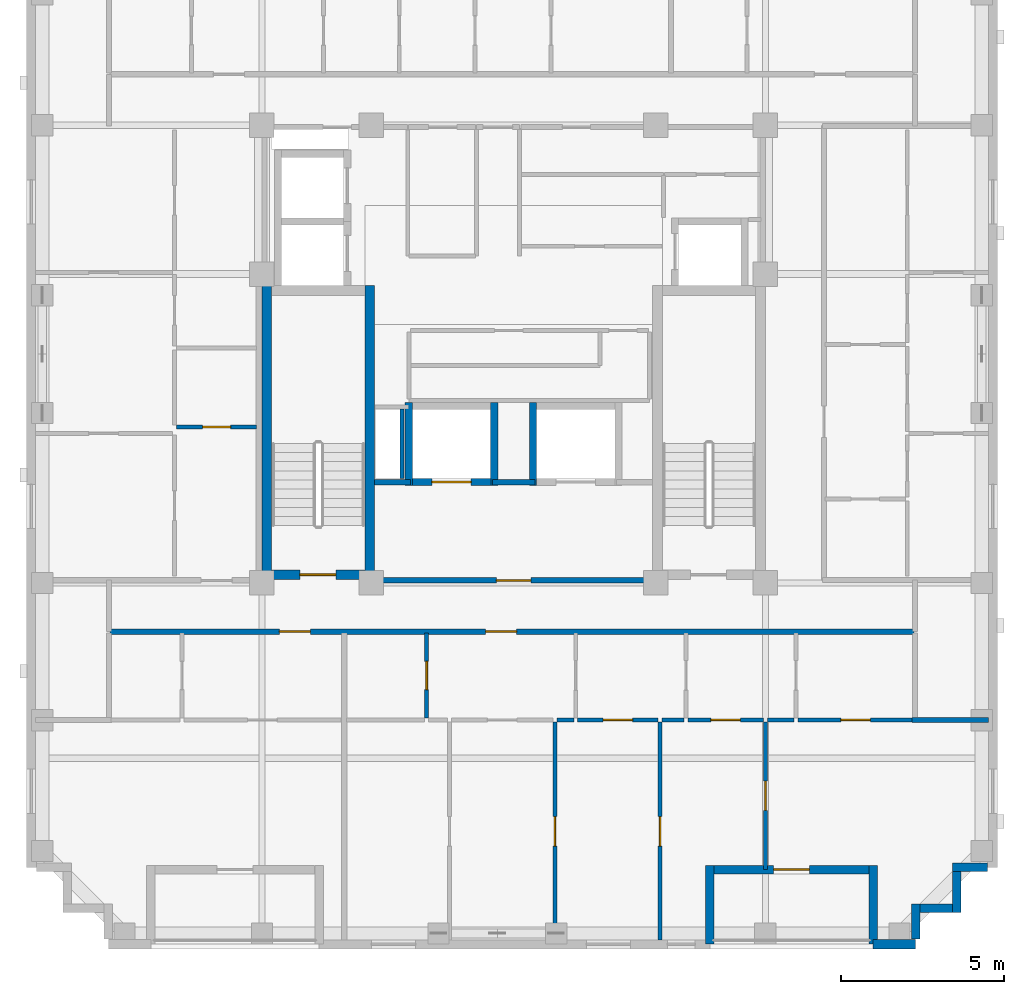
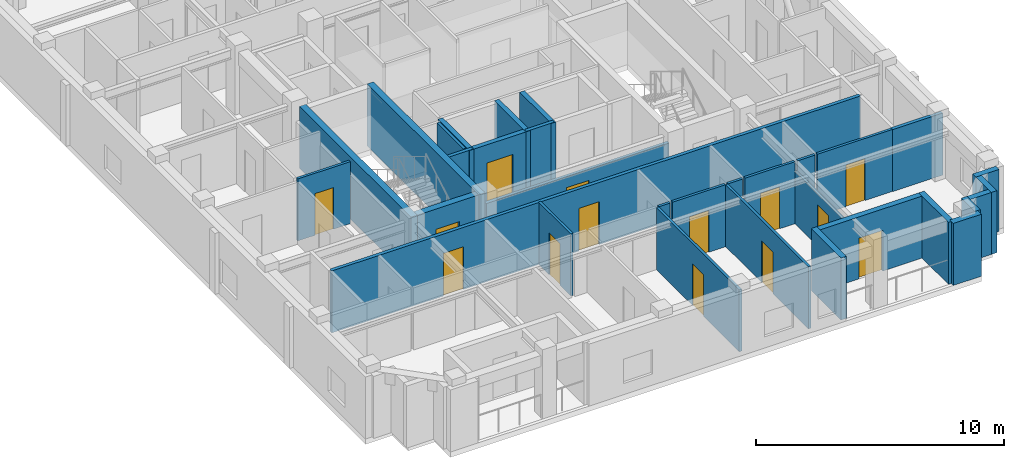
# One storey, part 3 of 11: 32 walls, 14 doors, 14 openings.
"""IFC4 building model written with IfcOpenShell, lengths in metres."""

from ifc_helpers import new_model, si_unit, derived_unit, direction, frame, frame_2d, origin, place, context, subcontext, project, spatial, rectangle, extrude, material, layer, layer_set, type_object, element, fill, save


model = new_model("IFC4")

# Units and contexts
model_context = context("Model", 3, precision=1e-05, world=origin(), true_north=direction((0.0, 1.0)))
body_context = subcontext(model_context, "Body", "Model", "MODEL_VIEW")
ifc_project = project(units=[si_unit("LENGTHUNIT", "METRE"), si_unit("AREAUNIT", "SQUARE_METRE"), si_unit("VOLUMEUNIT", "CUBIC_METRE"), si_unit("PLANEANGLEUNIT", "RADIAN"), si_unit("MASSUNIT", "GRAM", prefix="KILO"), derived_unit("THERMALTRANSMITTANCEUNIT", [(si_unit("MASSUNIT", "GRAM", prefix="KILO"), 1), (si_unit("TIMEUNIT", "SECOND"), -3), (si_unit("THERMODYNAMICTEMPERATUREUNIT", "KELVIN"), -1)])], contexts=[model_context])

# Site, building, storey
site_placement = place(None, origin())
site = spatial("IfcSite", under=ifc_project, at=site_placement, CompositionType="ELEMENT")
building_placement = place(site_placement, origin())
building = spatial("IfcBuilding", under=site, at=building_placement, Name="Korrvale Station Residences", CompositionType="ELEMENT")
storey_placement = place(building_placement, frame((0.0, 0.0, 258.10009765625)))
storey = spatial("IfcBuildingStorey", under=building, at=storey_placement, Name="L75", CompositionType="ELEMENT", Elevation=258.10009765625)

# Walls
ifc_material_1 = material(Name="Concrete C50/60", Category="concrete")
ifc_layer_1 = layer(ifc_material_1, 0.300048828125, Name="Concrete C50/60")
ifc_layer_set_1 = layer_set([ifc_layer_1], Name="Concrete C50/60")
wall_type_1 = type_object("IfcWallType", Name="WAL-CORE-300-C50", PredefinedType="SHEAR", material=ifc_layer_set_1)
for number, where, z_axis, x_axis, name in (
    (1, (17.949951171875, 15.10009765625, 0.0), (0.0, 0.0, 1.0), (0.0, 1.0, 0.0), "L75 ST-1 Core Shear Wall West"),
    (2, (21.10009765625, 15.10009765625, 0.0), (0.0, 0.0, 1.0), (0.0, 1.0, 0.0), "L75 ST-1 Core Shear Wall East"),
):
    element("IfcWall", number, at=place(storey_placement, frame(where, z_axis=z_axis, x_axis=x_axis)), inside=storey, type_object=wall_type_1, Name=name, PredefinedType="SHEAR", context=body_context, shape_type="SweptSolid", body=[
        extrude(rectangle(XDim=9.0, YDim=0.300048828125, at=frame_2d((4.5, 0.0))), origin(), (0.0, 0.0, 1.0), 3.0498046875),
    ])

# Wall, opening, door
wall_1_placement = place(storey_placement, frame((18.10009765625, 15.25, 0.0), z_axis=(0.0, 0.0, 1.0), x_axis=(1.0, 0.0, 0.0)))
wall_1 = element("IfcWall", 3, at=wall_1_placement, inside=storey, type_object=wall_type_1, Name="L75 ST-1 Core Shear Wall South", PredefinedType="SHEAR", context=body_context, shape_type="SweptSolid", body=[
    extrude(rectangle(XDim=2.849853515625, YDim=0.300048828125, at=frame_2d((1.4248046875, 0.0))), origin(), (0.0, 0.0, 1.0), 3.0498046875),
])
opening_1_placement = place(wall_1_placement, frame((0.860107421875, 0.0, 0.0)))
opening_1 = element("IfcOpeningElement", 4, at=opening_1_placement, cuts=wall_1, Name="Opening SD-1100", PredefinedType="OPENING", context=body_context, shape_type="SweptSolid", body=[
    extrude(rectangle(XDim=1.10009765625, YDim=2.050048828125, at=frame_2d((0.550048828125, 1.02490234375))), frame((0.0, 0.16015625, 0.0), z_axis=(0.0, -1.0, 0.0), x_axis=(1.0, 0.0, 0.0)), (0.0, 0.0, 1.0), 0.320068359375),
])
ifc_material_2 = material(Name="Hollow-metal fire-rated stair door with closer", Category="steel")
door_type_1 = type_object("IfcDoorType", Name="DR-STAIR-1100", OperationType="NOTDEFINED", PredefinedType="DOOR", material=ifc_material_2)
door_1_placement = place(opening_1_placement, origin())
door_1 = element("IfcDoor", 5, at=door_1_placement, inside=storey, type_object=door_type_1, Name="L75 ST-1 Exit Stair Door", OperationType="SINGLE_SWING_LEFT", OverallHeight=2.050048828125, OverallWidth=1.10009765625, PredefinedType="DOOR", context=body_context, shape_type="SweptSolid", body=[
    extrude(rectangle(XDim=1.10009765625, YDim=2.050048828125, at=frame_2d((0.550048828125, 1.02490234375))), frame((0.0, 0.02490234375, 0.0), z_axis=(0.0, -1.0, 0.0), x_axis=(1.0, 0.0, 0.0)), (0.0, 0.0, 1.0), 0.050048828125),
])
fill(opening_1, door_1)

# Wall
ifc_material_3 = material(Name="Precast concrete C45/55", Category="concrete")
ifc_layer_2 = layer(ifc_material_3, 0.260009765625, Name="Precast concrete C45/55")
ifc_layer_set_2 = layer_set([ifc_layer_2], Name="Precast concrete C45/55")
wall_type_2 = type_object("IfcWallType", Name="WAL-EXT-LOG260", PredefinedType="SOLIDWALL", material=ifc_layer_set_2)
wall_2_placement = place(storey_placement, frame((36.5, 3.9599609375, 0.0), z_axis=(0.0, 0.0, 1.0), x_axis=(0.0, 1.0, 0.0)))
element("IfcWall", 6, at=wall_2_placement, inside=storey, type_object=wall_type_2, Name="L75 Recessed Loggia Wall BAL-L75-S2-L", PredefinedType="SOLIDWALL", context=body_context, shape_type="SweptSolid", body=[
    extrude(rectangle(XDim=2.400146484375, YDim=0.260009765625, at=frame_2d((1.2001953125, 0.0))), origin(), (0.0, 0.0, 1.0), 3.0498046875),
])

# Wall, opening, door
wall_3_placement = place(storey_placement, frame((36.365966796875, 6.22998046875, 0.0), z_axis=(0.0, 0.0, 1.0), x_axis=(-1.0, 0.0, 0.0)))
wall_3 = element("IfcWall", 7, at=wall_3_placement, inside=storey, type_object=wall_type_2, Name="L75 Recessed Loggia Wall BAL-L75-S2-B", PredefinedType="SOLIDWALL", context=body_context, shape_type="SweptSolid", body=[
    extrude(rectangle(XDim=4.73193359375, YDim=0.260009765625, at=frame_2d((2.365966796875, 0.0))), origin(), (0.0, 0.0, 1.0), 3.0498046875),
])
opening_2_placement = place(wall_3_placement, frame((1.81591796875, 0.0, 0.0)))
opening_2 = element("IfcOpeningElement", 8, at=opening_2_placement, cuts=wall_3, Name="Opening BD-01", PredefinedType="OPENING", context=body_context, shape_type="SweptSolid", body=[
    extrude(rectangle(XDim=1.10009765625, YDim=2.0, at=frame_2d((0.550048828125, 1.0))), frame((0.0, 0.14013671875, 0.0), z_axis=(0.0, -1.0, 0.0), x_axis=(1.0, 0.0, 0.0)), (0.0, 0.0, 1.0), 0.280029296875),
])
ifc_material_4 = material(Name="Exterior thermally broken aluminium glazed balcony door", Category="aluminium")
door_type_2 = type_object("IfcDoorType", Name="DR-EXT-BAL", OperationType="NOTDEFINED", PredefinedType="DOOR", material=ifc_material_4)
door_2_placement = place(opening_2_placement, origin())
door_2 = element("IfcDoor", 9, at=door_2_placement, inside=storey, type_object=door_type_2, Name="L75 Loggia Balcony Door BAL-L75-S2", OperationType="SINGLE_SWING_LEFT", OverallHeight=2.0, OverallWidth=1.10009765625, PredefinedType="DOOR", context=body_context, shape_type="SweptSolid", body=[
    extrude(rectangle(XDim=1.10009765625, YDim=2.0, at=frame_2d((0.550048828125, 1.0))), frame((0.0, 0.02490234375, 0.0), z_axis=(0.0, -1.0, 0.0), x_axis=(1.0, 0.0, 0.0)), (0.0, 0.0, 1.0), 0.050048828125),
])
fill(opening_2, door_2)

# Walls
wall_4_placement = place(storey_placement, frame((31.5, 6.360107421875, 0.0), z_axis=(0.0, 0.0, 1.0), x_axis=(0.0, -1.0, 0.0)))
element("IfcWall", 10, at=wall_4_placement, inside=storey, type_object=wall_type_2, Name="L75 Recessed Loggia Wall BAL-L75-S2-R", PredefinedType="SOLIDWALL", context=body_context, shape_type="SweptSolid", body=[
    extrude(rectangle(XDim=2.400146484375, YDim=0.260009765625, at=frame_2d((1.2001953125, 0.0))), origin(), (0.0, 0.0, 1.0), 3.0498046875),
])
wall_5_placement = place(storey_placement, frame((39.998046875, 6.300048828125, 0.0), z_axis=(0.0, 0.0, 1.0), x_axis=(-1.0, 0.0, 0.0)))
element("IfcWall", 11, at=wall_5_placement, inside=storey, type_object=wall_type_2, Name="L75 Serrated Corner Precast Step SE-1", PredefinedType="SOLIDWALL", context=body_context, shape_type="SweptSolid", body=[
    extrude(rectangle(XDim=1.078125, YDim=0.260009765625, at=frame_2d((0.5390625, 0.0))), origin(), (0.0, 0.0, 1.0), 3.0498046875),
])
wall_6_placement = place(storey_placement, frame((39.050048828125, 6.16796875, 0.0), z_axis=(0.0, 0.0, 1.0), x_axis=(0.0, -1.0, 0.0)))
element("IfcWall", 12, at=wall_6_placement, inside=storey, type_object=wall_type_2, Name="L75 Serrated Corner Precast Step SE-2", PredefinedType="SOLIDWALL", context=body_context, shape_type="SweptSolid", body=[
    extrude(rectangle(XDim=1.248046875, YDim=0.260009765625, at=frame_2d((0.6240234375, 0.0))), origin(), (0.0, 0.0, 1.0), 3.0498046875),
])
wall_7_placement = place(storey_placement, frame((38.91796875, 5.050048828125, 0.0), z_axis=(0.0, 0.0, 1.0), x_axis=(-1.0, 0.0, 0.0)))
element("IfcWall", 13, at=wall_7_placement, inside=storey, type_object=wall_type_2, Name="L75 Serrated Corner Precast Step SE-3", PredefinedType="SOLIDWALL", context=body_context, shape_type="SweptSolid", body=[
    extrude(rectangle(XDim=0.986083984375, YDim=0.260009765625, at=frame_2d((0.4931640625, 0.0))), origin(), (0.0, 0.0, 1.0), 3.0498046875),
])
wall_8_placement = place(storey_placement, frame((37.800048828125, 5.179931640625, 0.0), z_axis=(0.0, 0.0, 1.0), x_axis=(0.0, -1.0, 0.0)))
element("IfcWall", 14, at=wall_8_placement, inside=storey, type_object=wall_type_2, Name="L75 Serrated Corner Precast Step SE-4", PredefinedType="SOLIDWALL", context=body_context, shape_type="SweptSolid", body=[
    extrude(rectangle(XDim=1.077880859375, YDim=0.260009765625, at=frame_2d((0.5390625, 0.0))), origin(), (0.0, 0.0, 1.0), 3.0498046875),
])
ifc_layer_3 = layer(ifc_material_3, 0.300048828125, Name="Precast concrete C45/55")
ifc_layer_set_3 = layer_set([ifc_layer_3], Name="Precast concrete C45/55")
wall_type_3 = type_object("IfcWallType", Name="WAL-EXT-PC300", PredefinedType="SOLIDWALL", material=ifc_layer_set_3)
wall_9_placement = place(storey_placement, frame((37.800048828125, 3.949951171875, 0.0), z_axis=(0.0, 0.0, 1.0), x_axis=(-1.0, 0.0, 0.0)))
element("IfcWall", 15, at=wall_9_placement, inside=storey, type_object=wall_type_3, Name="L75 South Exterior Precast Wall 1", PredefinedType="SOLIDWALL", context=body_context, shape_type="SweptSolid", body=[
    extrude(rectangle(XDim=1.300048828125, YDim=0.300048828125, at=frame_2d((0.64990234375, 0.0))), origin(), (0.0, 0.0, 1.0), 3.0498046875),
])
ifc_material_5 = material(Name="Acoustic steel-stud gypsum board partition", Category="steel")
ifc_layer_4 = layer(ifc_material_5, 0.1201171875, Name="Acoustic steel-stud gypsum board partition")
ifc_layer_set_4 = layer_set([ifc_layer_4], Name="Acoustic steel-stud gypsum board partition")
wall_type_4 = type_object("IfcWallType", Name="WAL-PART-125", PredefinedType="PARTITIONING", material=ifc_layer_set_4)
wall_10_placement = place(storey_placement, frame((22.080078125, 18.199951171875, 0.0), z_axis=(0.0, 0.0, 1.0), x_axis=(0.0, 1.0, 0.0)))
element("IfcWall", 16, at=wall_10_placement, inside=storey, type_object=wall_type_4, Name="L75 Core Partition CW-RSWT", PredefinedType="PARTITIONING", context=body_context, shape_type="SweptSolid", body=[
    extrude(rectangle(XDim=2.1201171875, YDim=0.1201171875, at=frame_2d((1.06005859375, 0.0))), origin(), (0.0, 0.0, 1.0), 3.0498046875),
])

# Wall, opening, door
wall_11_placement = place(storey_placement, frame((22.840087890625, 10.8701171875, 0.0), z_axis=(0.0, 0.0, 1.0), x_axis=(0.0, 1.0, 0.0)))
wall_11 = element("IfcWall", 17, at=wall_11_placement, inside=storey, type_object=wall_type_4, Name="L75 Suite Partition U02-V01", PredefinedType="PARTITIONING", context=body_context, shape_type="SweptSolid", body=[
    extrude(rectangle(XDim=2.599853515625, YDim=0.1201171875, at=frame_2d((1.2998046875, 0.0))), origin(), (0.0, 0.0, 1.0), 3.0498046875),
])
opening_3_placement = place(wall_11_placement, frame((0.8701171875, 0.0, 0.0)))
opening_3 = element("IfcOpeningElement", 18, at=opening_3_placement, cuts=wall_11, Name="Opening DB-860", PredefinedType="OPENING", context=body_context, shape_type="SweptSolid", body=[
    extrude(rectangle(XDim=0.860107421875, YDim=2.050048828125, at=frame_2d((0.43017578125, 1.02490234375))), frame((0.0, 0.070068359375, 0.0), z_axis=(0.0, -1.0, 0.0), x_axis=(1.0, 0.0, 0.0)), (0.0, 0.0, 1.0), 0.14013671875),
])
ifc_material_6 = material(Name="Moisture-resistant solid-core bathroom door", Category="timber")
door_type_3 = type_object("IfcDoorType", Name="DR-BATH-860", OperationType="NOTDEFINED", PredefinedType="DOOR", material=ifc_material_6)
door_3_placement = place(opening_3_placement, origin())
door_3 = element("IfcDoor", 19, at=door_3_placement, inside=storey, type_object=door_type_3, Name="L75 Studio Apartment L75-U02 Bathroom Door", OperationType="SINGLE_SWING_RIGHT", OverallHeight=2.050048828125, OverallWidth=0.860107421875, PredefinedType="DOOR", context=body_context, shape_type="SweptSolid", body=[
    extrude(rectangle(XDim=0.860107421875, YDim=2.050048828125, at=frame_2d((0.43017578125, 1.02490234375))), frame((0.0, 0.02490234375, 0.0), z_axis=(0.0, -1.0, 0.0), x_axis=(1.0, 0.0, 0.0)), (0.0, 0.0, 1.0), 0.050048828125),
])
fill(opening_3, door_3)

# Wall
wall_12_placement = place(storey_placement, frame((26.820068359375, 10.81005859375, 0.0), z_axis=(0.0, 0.0, 1.0), x_axis=(1.0, 0.0, 0.0)))
element("IfcWall", 20, at=wall_12_placement, inside=storey, type_object=wall_type_4, Name="L75 Suite Partition U02-H17", PredefinedType="PARTITIONING", context=body_context, shape_type="SweptSolid", body=[
    extrude(rectangle(XDim=0.52001953125, YDim=0.1201171875, at=frame_2d((0.260009765625, 0.0))), origin(), (0.0, 0.0, 1.0), 3.0498046875),
])

# Wall, opening, door
wall_13_placement = place(storey_placement, frame((27.4599609375, 10.81005859375, 0.0), z_axis=(0.0, 0.0, 1.0), x_axis=(1.0, 0.0, 0.0)))
wall_13 = element("IfcWall", 21, at=wall_13_placement, inside=storey, type_object=wall_type_4, Name="L75 Suite Partition U02-H27", PredefinedType="PARTITIONING", context=body_context, shape_type="SweptSolid", body=[
    extrude(rectangle(XDim=2.4599609375, YDim=0.1201171875, at=frame_2d((1.22998046875, 0.0))), origin(), (0.0, 0.0, 1.0), 3.0498046875),
])
opening_4_placement = place(wall_13_placement, frame((0.780029296875, 0.0, 0.0)))
opening_4 = element("IfcOpeningElement", 22, at=opening_4_placement, cuts=wall_13, Name="Opening DI-900", PredefinedType="OPENING", context=body_context, shape_type="SweptSolid", body=[
    extrude(rectangle(XDim=0.89990234375, YDim=2.050048828125, at=frame_2d((0.449951171875, 1.02490234375))), frame((0.0, 0.070068359375, 0.0), z_axis=(0.0, -1.0, 0.0), x_axis=(1.0, 0.0, 0.0)), (0.0, 0.0, 1.0), 0.14013671875),
])
ifc_material_7 = material(Name="Painted solid-core timber interior room door", Category="wood")
door_type_4 = type_object("IfcDoorType", Name="DR-INT-900", OperationType="NOTDEFINED", PredefinedType="DOOR", material=ifc_material_7)
door_4_placement = place(opening_4_placement, origin())
door_4 = element("IfcDoor", 23, at=door_4_placement, inside=storey, type_object=door_type_4, Name="L75 Studio Apartment L75-U02 Home Study Room Door", OperationType="SINGLE_SWING_RIGHT", OverallHeight=2.050048828125, OverallWidth=0.89990234375, PredefinedType="DOOR", context=body_context, shape_type="SweptSolid", body=[
    extrude(rectangle(XDim=0.89990234375, YDim=2.050048828125, at=frame_2d((0.449951171875, 1.02490234375))), frame((0.0, 0.02490234375, 0.0), z_axis=(0.0, -1.0, 0.0), x_axis=(1.0, 0.0, 0.0)), (0.0, 0.0, 1.0), 0.050048828125),
])
fill(opening_4, door_4)

# Wall
wall_14_placement = place(storey_placement, frame((30.0400390625, 10.81005859375, 0.0), z_axis=(0.0, 0.0, 1.0), x_axis=(1.0, 0.0, 0.0)))
element("IfcWall", 24, at=wall_14_placement, inside=storey, type_object=wall_type_4, Name="L75 Suite Partition U02-H28", PredefinedType="PARTITIONING", context=body_context, shape_type="SweptSolid", body=[
    extrude(rectangle(XDim=0.669921875, YDim=0.1201171875, at=frame_2d((0.3349609375, 0.0))), origin(), (0.0, 0.0, 1.0), 3.0498046875),
])

# Wall, opening, door
wall_15_placement = place(storey_placement, frame((30.830078125, 10.81005859375, 0.0), z_axis=(0.0, 0.0, 1.0), x_axis=(1.0, 0.0, 0.0)))
wall_15 = element("IfcWall", 25, at=wall_15_placement, inside=storey, type_object=wall_type_4, Name="L75 Suite Partition U02-H38", PredefinedType="PARTITIONING", context=body_context, shape_type="SweptSolid", body=[
    extrude(rectangle(XDim=2.309814453125, YDim=0.1201171875, at=frame_2d((1.15478515625, 0.0))), origin(), (0.0, 0.0, 1.0), 3.0498046875),
])
opening_5_placement = place(wall_15_placement, frame((0.705078125, 0.0, 0.0)))
opening_5 = element("IfcOpeningElement", 26, at=opening_5_placement, cuts=wall_15, Name="Opening DI-900", PredefinedType="OPENING", context=body_context, shape_type="SweptSolid", body=[
    extrude(rectangle(XDim=0.89990234375, YDim=2.050048828125, at=frame_2d((0.449951171875, 1.02490234375))), frame((0.0, 0.070068359375, 0.0), z_axis=(0.0, -1.0, 0.0), x_axis=(1.0, 0.0, 0.0)), (0.0, 0.0, 1.0), 0.14013671875),
])
door_5_placement = place(opening_5_placement, origin())
door_5 = element("IfcDoor", 27, at=door_5_placement, inside=storey, type_object=door_type_4, Name="L75 Studio Apartment L75-U02 Home Study Room Door", OperationType="SINGLE_SWING_RIGHT", OverallHeight=2.050048828125, OverallWidth=0.89990234375, PredefinedType="DOOR", context=body_context, shape_type="SweptSolid", body=[
    extrude(rectangle(XDim=0.89990234375, YDim=2.050048828125, at=frame_2d((0.449951171875, 1.02490234375))), frame((0.0, 0.02490234375, 0.0), z_axis=(0.0, -1.0, 0.0), x_axis=(1.0, 0.0, 0.0)), (0.0, 0.0, 1.0), 0.050048828125),
])
fill(opening_5, door_5)

# Wall
wall_16_placement = place(storey_placement, frame((33.260009765625, 10.81005859375, 0.0), z_axis=(0.0, 0.0, 1.0), x_axis=(1.0, 0.0, 0.0)))
element("IfcWall", 28, at=wall_16_placement, inside=storey, type_object=wall_type_4, Name="L75 Suite Partition U02-H39", PredefinedType="PARTITIONING", context=body_context, shape_type="SweptSolid", body=[
    extrude(rectangle(XDim=0.820068359375, YDim=0.1201171875, at=frame_2d((0.41015625, 0.0))), origin(), (0.0, 0.0, 1.0), 3.0498046875),
])

# Wall, opening, door
wall_17_placement = place(storey_placement, frame((34.199951171875, 10.81005859375, 0.0), z_axis=(0.0, 0.0, 1.0), x_axis=(1.0, 0.0, 0.0)))
wall_17 = element("IfcWall", 29, at=wall_17_placement, inside=storey, type_object=wall_type_4, Name="L75 Suite Partition U02-H49", PredefinedType="PARTITIONING", context=body_context, shape_type="SweptSolid", body=[
    extrude(rectangle(XDim=3.52001953125, YDim=0.1201171875, at=frame_2d((1.760009765625, 0.0))), origin(), (0.0, 0.0, 1.0), 3.0498046875),
])
opening_6_placement = place(wall_17_placement, frame((1.31005859375, 0.0, 0.0)))
opening_6 = element("IfcOpeningElement", 30, at=opening_6_placement, cuts=wall_17, Name="Opening DI-900", PredefinedType="OPENING", context=body_context, shape_type="SweptSolid", body=[
    extrude(rectangle(XDim=0.89990234375, YDim=2.050048828125, at=frame_2d((0.449951171875, 1.02490234375))), frame((0.0, 0.070068359375, 0.0), z_axis=(0.0, -1.0, 0.0), x_axis=(1.0, 0.0, 0.0)), (0.0, 0.0, 1.0), 0.14013671875),
])
door_6_placement = place(opening_6_placement, origin())
door_6 = element("IfcDoor", 31, at=door_6_placement, inside=storey, type_object=door_type_4, Name="L75 Studio Apartment L75-U02 Wardrobe Storage Room Door", OperationType="SINGLE_SWING_LEFT", OverallHeight=2.050048828125, OverallWidth=0.89990234375, PredefinedType="DOOR", context=body_context, shape_type="SweptSolid", body=[
    extrude(rectangle(XDim=0.89990234375, YDim=2.050048828125, at=frame_2d((0.449951171875, 1.02490234375))), frame((0.0, 0.02490234375, 0.0), z_axis=(0.0, -1.0, 0.0), x_axis=(1.0, 0.0, 0.0)), (0.0, 0.0, 1.0), 0.050048828125),
])
fill(opening_6, door_6)

wall_18_placement = place(storey_placement, frame((26.760009765625, 4.080078125, 0.0), z_axis=(0.0, 0.0, 1.0), x_axis=(0.0, 1.0, 0.0)))
wall_18 = element("IfcWall", 32, at=wall_18_placement, inside=storey, type_object=wall_type_4, Name="L75 Suite Partition U02-V67", PredefinedType="PARTITIONING", context=body_context, shape_type="SweptSolid", body=[
    extrude(rectangle(XDim=6.669921875, YDim=0.1201171875, at=frame_2d((3.3349609375, 0.0))), origin(), (0.0, 0.0, 1.0), 3.0498046875),
])
opening_7_placement = place(wall_18_placement, frame((2.8701171875, 0.0, 0.0)))
opening_7 = element("IfcOpeningElement", 33, at=opening_7_placement, cuts=wall_18, Name="Opening DI-900", PredefinedType="OPENING", context=body_context, shape_type="SweptSolid", body=[
    extrude(rectangle(XDim=0.89990234375, YDim=2.050048828125, at=frame_2d((0.449951171875, 1.02490234375))), frame((0.0, 0.070068359375, 0.0), z_axis=(0.0, -1.0, 0.0), x_axis=(1.0, 0.0, 0.0)), (0.0, 0.0, 1.0), 0.14013671875),
])
door_7_placement = place(opening_7_placement, origin())
door_7 = element("IfcDoor", 34, at=door_7_placement, inside=storey, type_object=door_type_4, Name="L75 Studio Apartment L75-U02 Walk-In Wardrobe Door", OperationType="SINGLE_SWING_LEFT", OverallHeight=2.050048828125, OverallWidth=0.89990234375, PredefinedType="DOOR", context=body_context, shape_type="SweptSolid", body=[
    extrude(rectangle(XDim=0.89990234375, YDim=2.050048828125, at=frame_2d((0.449951171875, 1.02490234375))), frame((0.0, 0.02490234375, 0.0), z_axis=(0.0, -1.0, 0.0), x_axis=(1.0, 0.0, 0.0)), (0.0, 0.0, 1.0), 0.050048828125),
])
fill(opening_7, door_7)

wall_19_placement = place(storey_placement, frame((29.97998046875, 4.080078125, 0.0), z_axis=(0.0, 0.0, 1.0), x_axis=(0.0, 1.0, 0.0)))
wall_19 = element("IfcWall", 35, at=wall_19_placement, inside=storey, type_object=wall_type_4, Name="L75 Suite Partition U02-V78", PredefinedType="PARTITIONING", context=body_context, shape_type="SweptSolid", body=[
    extrude(rectangle(XDim=6.669921875, YDim=0.1201171875, at=frame_2d((3.3349609375, 0.0))), origin(), (0.0, 0.0, 1.0), 3.0498046875),
])
opening_8_placement = place(wall_19_placement, frame((2.8701171875, 0.0, 0.0)))
opening_8 = element("IfcOpeningElement", 36, at=opening_8_placement, cuts=wall_19, Name="Opening DI-900", PredefinedType="OPENING", context=body_context, shape_type="SweptSolid", body=[
    extrude(rectangle(XDim=0.89990234375, YDim=2.050048828125, at=frame_2d((0.449951171875, 1.02490234375))), frame((0.0, 0.070068359375, 0.0), z_axis=(0.0, -1.0, 0.0), x_axis=(1.0, 0.0, 0.0)), (0.0, 0.0, 1.0), 0.14013671875),
])
door_8_placement = place(opening_8_placement, origin())
door_8 = element("IfcDoor", 37, at=door_8_placement, inside=storey, type_object=door_type_4, Name="L75 Studio Apartment L75-U02 Formal Dining Room Door", OperationType="SINGLE_SWING_RIGHT", OverallHeight=2.050048828125, OverallWidth=0.89990234375, PredefinedType="DOOR", context=body_context, shape_type="SweptSolid", body=[
    extrude(rectangle(XDim=0.89990234375, YDim=2.050048828125, at=frame_2d((0.449951171875, 1.02490234375))), frame((0.0, 0.02490234375, 0.0), z_axis=(0.0, -1.0, 0.0), x_axis=(1.0, 0.0, 0.0)), (0.0, 0.0, 1.0), 0.050048828125),
])
fill(opening_8, door_8)

wall_20_placement = place(storey_placement, frame((33.199951171875, 6.22998046875, 0.0), z_axis=(0.0, 0.0, 1.0), x_axis=(0.0, 1.0, 0.0)))
wall_20 = element("IfcWall", 38, at=wall_20_placement, inside=storey, type_object=wall_type_4, Name="L75 Suite Partition U02-V89", PredefinedType="PARTITIONING", context=body_context, shape_type="SweptSolid", body=[
    extrude(rectangle(XDim=4.52001953125, YDim=0.1201171875, at=frame_2d((2.260009765625, 0.0))), origin(), (0.0, 0.0, 1.0), 2.577880859375),
])
opening_9_placement = place(wall_20_placement, frame((1.81005859375, 0.0, 0.0)))
opening_9 = element("IfcOpeningElement", 39, at=opening_9_placement, cuts=wall_20, Name="Opening DI-900", PredefinedType="OPENING", context=body_context, shape_type="SweptSolid", body=[
    extrude(rectangle(XDim=0.89990234375, YDim=2.050048828125, at=frame_2d((0.449951171875, 1.02490234375))), frame((0.0, 0.070068359375, 0.0), z_axis=(0.0, -1.0, 0.0), x_axis=(1.0, 0.0, 0.0)), (0.0, 0.0, 1.0), 0.14013671875),
])
door_9_placement = place(opening_9_placement, origin())
door_9 = element("IfcDoor", 40, at=door_9_placement, inside=storey, type_object=door_type_4, Name="L75 Studio Apartment L75-U02 Formal Dining Room Door", OperationType="SINGLE_SWING_LEFT", OverallHeight=2.050048828125, OverallWidth=0.89990234375, PredefinedType="DOOR", context=body_context, shape_type="SweptSolid", body=[
    extrude(rectangle(XDim=0.89990234375, YDim=2.050048828125, at=frame_2d((0.449951171875, 1.02490234375))), frame((0.0, 0.02490234375, 0.0), z_axis=(0.0, -1.0, 0.0), x_axis=(1.0, 0.0, 0.0)), (0.0, 0.0, 1.0), 0.050048828125),
])
fill(opening_9, door_9)

wall_21_placement = place(storey_placement, frame((15.18994140625, 19.77001953125, 0.0), z_axis=(0.0, 0.0, 1.0), x_axis=(1.0, 0.0, 0.0)))
wall_21 = element("IfcWall", 41, at=wall_21_placement, inside=storey, type_object=wall_type_4, Name="L75 Suite Partition U05-H12", PredefinedType="PARTITIONING", context=body_context, shape_type="SweptSolid", body=[
    extrude(rectangle(XDim=2.449951171875, YDim=0.1201171875, at=frame_2d((1.22509765625, 0.0))), origin(), (0.0, 0.0, 1.0), 3.0498046875),
])
opening_10_placement = place(wall_21_placement, frame((0.794921875, 0.0, 0.0)))
opening_10 = element("IfcOpeningElement", 42, at=opening_10_placement, cuts=wall_21, Name="Opening DB-860", PredefinedType="OPENING", context=body_context, shape_type="SweptSolid", body=[
    extrude(rectangle(XDim=0.860107421875, YDim=2.050048828125, at=frame_2d((0.43017578125, 1.02490234375))), frame((0.0, 0.070068359375, 0.0), z_axis=(0.0, -1.0, 0.0), x_axis=(1.0, 0.0, 0.0)), (0.0, 0.0, 1.0), 0.14013671875),
])
door_10_placement = place(opening_10_placement, origin())
door_10 = element("IfcDoor", 43, at=door_10_placement, inside=storey, type_object=door_type_3, Name="L75 Apartment 2BR L75-U05 Bathroom Door", OperationType="SINGLE_SWING_LEFT", OverallHeight=2.050048828125, OverallWidth=0.860107421875, PredefinedType="DOOR", context=body_context, shape_type="SweptSolid", body=[
    extrude(rectangle(XDim=0.860107421875, YDim=2.050048828125, at=frame_2d((0.43017578125, 1.02490234375))), frame((0.0, 0.02490234375, 0.0), z_axis=(0.0, -1.0, 0.0), x_axis=(1.0, 0.0, 0.0)), (0.0, 0.0, 1.0), 0.050048828125),
])
fill(opening_10, door_10)

ifc_material_8 = material(Name="Fire-rated twin-stud gypsum and mineral wool shaftwall assembly", Category="gypsum")
ifc_layer_5 = layer(ifc_material_8, 0.159912109375, Name="Fire-rated twin-stud gypsum and mineral wool shaftwall assembly")
ifc_layer_set_5 = layer_set([ifc_layer_5], Name="Fire-rated twin-stud gypsum and mineral wool shaftwall assembly")
wall_type_5 = type_object("IfcWallType", Name="WAL-PART-200", PredefinedType="PARTITIONING", material=ifc_layer_set_5)
wall_22_placement = place(storey_placement, frame((21.25, 15.080078125, 0.0), z_axis=(0.0, 0.0, 1.0), x_axis=(1.0, 0.0, 0.0)))
wall_22 = element("IfcWall", 44, at=wall_22_placement, inside=storey, type_object=wall_type_5, Name="L75 Core Partition CW-FFL-S", PredefinedType="PARTITIONING", context=body_context, shape_type="SweptSolid", body=[
    extrude(rectangle(XDim=8.5, YDim=0.159912109375, at=frame_2d((4.25, 0.0))), origin(), (0.0, 0.0, 1.0), 2.577880859375),
])
opening_11_placement = place(wall_22_placement, frame((3.72509765625, 0.0, 0.0)))
opening_11 = element("IfcOpeningElement", 45, at=opening_11_placement, cuts=wall_22, Name="Opening FD-1050", PredefinedType="OPENING", context=body_context, shape_type="SweptSolid", body=[
    extrude(rectangle(XDim=1.050048828125, YDim=2.050048828125, at=frame_2d((0.52490234375, 1.02490234375))), frame((0.0, 0.08984375, 0.0), z_axis=(0.0, -1.0, 0.0), x_axis=(1.0, 0.0, 0.0)), (0.0, 0.0, 1.0), 0.179931640625),
])
ifc_material_9 = material(Name="Fire-rated mineral-core timber lobby door", Category="wood")
door_type_5 = type_object("IfcDoorType", Name="DR-CORE-1050", OperationType="NOTDEFINED", PredefinedType="DOOR", material=ifc_material_9)
door_11_placement = place(opening_11_placement, origin())
door_11 = element("IfcDoor", 46, at=door_11_placement, inside=storey, type_object=door_type_5, Name="L75 Firefighting Lobby Entry Door", OperationType="SINGLE_SWING_LEFT", OverallHeight=2.050048828125, OverallWidth=1.050048828125, PredefinedType="DOOR", context=body_context, shape_type="SweptSolid", body=[
    extrude(rectangle(XDim=1.050048828125, YDim=2.050048828125, at=frame_2d((0.52490234375, 1.02490234375))), frame((0.0, 0.02490234375, 0.0), z_axis=(0.0, -1.0, 0.0), x_axis=(1.0, 0.0, 0.0)), (0.0, 0.0, 1.0), 0.050048828125),
])
fill(opening_11, door_11)

# Walls
wall_23_placement = place(storey_placement, frame((21.25, 18.080078125, 0.0), z_axis=(0.0, 0.0, 1.0), x_axis=(1.0, 0.0, 0.0)))
element("IfcWall", 47, at=wall_23_placement, inside=storey, type_object=wall_type_5, Name="L75 Core Partition CW-FFL-N1", PredefinedType="PARTITIONING", context=body_context, shape_type="SweptSolid", body=[
    extrude(rectangle(XDim=1.10009765625, YDim=0.159912109375, at=frame_2d((0.550048828125, 0.0))), origin(), (0.0, 0.0, 1.0), 3.0498046875),
])
wall_24_placement = place(storey_placement, frame((24.85009765625, 18.080078125, 0.0), z_axis=(0.0, 0.0, 1.0), x_axis=(1.0, 0.0, 0.0)))
element("IfcWall", 48, at=wall_24_placement, inside=storey, type_object=wall_type_5, Name="L75 Core Partition CW-FFL-N2", PredefinedType="PARTITIONING", context=body_context, shape_type="SweptSolid", body=[
    extrude(rectangle(XDim=1.2998046875, YDim=0.159912109375, at=frame_2d((0.64990234375, 0.0))), origin(), (0.0, 0.0, 1.0), 3.0498046875),
])
wall_25_placement = place(storey_placement, frame((37.679931640625, 10.81005859375, 0.0), z_axis=(0.0, 0.0, 1.0), x_axis=(1.0, 0.0, 0.0)))
element("IfcWall", 49, at=wall_25_placement, inside=storey, type_object=wall_type_5, Name="L75 Corner Step Wall U02-R", PredefinedType="PARTITIONING", context=body_context, shape_type="SweptSolid", body=[
    extrude(rectangle(XDim=2.340087890625, YDim=0.159912109375, at=frame_2d((1.169921875, 0.0))), origin(), (0.0, 0.0, 1.0), 3.0498046875),
])

# Wall, openings, doors
wall_26_placement = place(storey_placement, frame((13.14990234375, 13.510009765625, 0.0), z_axis=(0.0, 0.0, 1.0), x_axis=(1.0, 0.0, 0.0)))
wall_26 = element("IfcWall", 50, at=wall_26_placement, inside=storey, type_object=wall_type_5, Name="L75 Rated Corridor Wall S", PredefinedType="PARTITIONING", context=body_context, shape_type="SweptSolid", body=[
    extrude(rectangle(XDim=24.60009765625, YDim=0.159912109375, at=frame_2d((12.300048828125, 0.0))), origin(), (0.0, 0.0, 1.0), 3.0498046875),
])
opening_12_placement = place(wall_26_placement, frame((5.18505859375, 0.0, 0.0)))
opening_12 = element("IfcOpeningElement", 51, at=opening_12_placement, cuts=wall_26, Name="Opening UD-950", PredefinedType="OPENING", context=body_context, shape_type="SweptSolid", body=[
    extrude(rectangle(XDim=0.949951171875, YDim=2.10009765625, at=frame_2d((0.47509765625, 1.050048828125))), frame((0.0, 0.08984375, 0.0), z_axis=(0.0, -1.0, 0.0), x_axis=(1.0, 0.0, 0.0)), (0.0, 0.0, 1.0), 0.179931640625),
])
opening_13_placement = place(wall_26_placement, frame((11.4951171875, 0.0, 0.0)))
opening_13 = element("IfcOpeningElement", 52, at=opening_13_placement, cuts=wall_26, Name="Opening UD-950", PredefinedType="OPENING", context=body_context, shape_type="SweptSolid", body=[
    extrude(rectangle(XDim=0.949951171875, YDim=2.10009765625, at=frame_2d((0.47509765625, 1.050048828125))), frame((0.0, 0.08984375, 0.0), z_axis=(0.0, -1.0, 0.0), x_axis=(1.0, 0.0, 0.0)), (0.0, 0.0, 1.0), 0.179931640625),
])
ifc_material_10 = material(Name="Solid-core acoustic oak apartment entrance door", Category="timber")
door_type_6 = type_object("IfcDoorType", Name="DR-UNIT-950", OperationType="NOTDEFINED", PredefinedType="DOOR", material=ifc_material_10)
door_12_placement = place(opening_12_placement, origin())
door_12 = element("IfcDoor", 53, at=door_12_placement, inside=storey, type_object=door_type_6, Name="L75 Apartment L75-U01 Entrance Door", OperationType="SINGLE_SWING_LEFT", OverallHeight=2.10009765625, OverallWidth=0.949951171875, PredefinedType="DOOR", context=body_context, shape_type="SweptSolid", body=[
    extrude(rectangle(XDim=0.949951171875, YDim=2.10009765625, at=frame_2d((0.47509765625, 1.050048828125))), frame((0.0, 0.02490234375, 0.0), z_axis=(0.0, -1.0, 0.0), x_axis=(1.0, 0.0, 0.0)), (0.0, 0.0, 1.0), 0.050048828125),
])
fill(opening_12, door_12)
door_13_placement = place(opening_13_placement, origin())
door_13 = element("IfcDoor", 54, at=door_13_placement, inside=storey, type_object=door_type_6, Name="L75 Apartment L75-U02 Entrance Door", OperationType="SINGLE_SWING_RIGHT", OverallHeight=2.10009765625, OverallWidth=0.949951171875, PredefinedType="DOOR", context=body_context, shape_type="SweptSolid", body=[
    extrude(rectangle(XDim=0.949951171875, YDim=2.10009765625, at=frame_2d((0.47509765625, 1.050048828125))), frame((0.0, 0.02490234375, 0.0), z_axis=(0.0, -1.0, 0.0), x_axis=(1.0, 0.0, 0.0)), (0.0, 0.0, 1.0), 0.050048828125),
])
fill(opening_13, door_13)

# Wall, opening, door
ifc_layer_6 = layer(ifc_material_1, 0.219970703125, Name="Concrete C50/60")
ifc_layer_set_6 = layer_set([ifc_layer_6], Name="Concrete C50/60")
wall_type_6 = type_object("IfcWallType", Name="WAL-SHAFT-220-C50", PredefinedType="SHEAR", material=ifc_layer_set_6)
wall_27_placement = place(storey_placement, frame((22.39990234375, 18.090087890625, 0.0), z_axis=(0.0, 0.0, 1.0), x_axis=(1.0, 0.0, 0.0)))
wall_27 = element("IfcWall", 55, at=wall_27_placement, inside=storey, type_object=wall_type_6, Name="L75 Elevator FFL-1 Hoistway Wall South", PredefinedType="SHEAR", context=body_context, shape_type="SweptSolid", body=[
    extrude(rectangle(XDim=2.400146484375, YDim=0.219970703125, at=frame_2d((1.2001953125, 0.0))), origin(), (0.0, 0.0, 1.0), 3.0498046875),
])
opening_14_placement = place(wall_27_placement, frame((0.60009765625, 0.0, 0.0)))
opening_14 = element("IfcOpeningElement", 56, at=opening_14_placement, cuts=wall_27, Name="Opening LD-FF1200", PredefinedType="OPENING", context=body_context, shape_type="SweptSolid", body=[
    extrude(rectangle(XDim=1.199951171875, YDim=2.14990234375, at=frame_2d((0.60009765625, 1.074951171875))), frame((0.0, 0.1201171875, 0.0), z_axis=(0.0, -1.0, 0.0), x_axis=(1.0, 0.0, 0.0)), (0.0, 0.0, 1.0), 0.239990234375),
])
ifc_material_11 = material(Name="Stainless-steel firefighter elevator landing sliding door", Category="steel")
door_type_7 = type_object("IfcDoorType", Name="DR-LIFT-FF1200", OperationType="SLIDING_TO_LEFT", PredefinedType="DOOR", material=ifc_material_11)
door_14_placement = place(opening_14_placement, origin())
door_14 = element("IfcDoor", 57, at=door_14_placement, inside=storey, type_object=door_type_7, Name="L75 Elevator FFL-1 Sliding Landing Door", OperationType="SLIDING_TO_LEFT", OverallHeight=2.14990234375, OverallWidth=1.199951171875, PredefinedType="DOOR", context=body_context, shape_type="SweptSolid", body=[
    extrude(rectangle(XDim=1.199951171875, YDim=2.14990234375, at=frame_2d((0.60009765625, 1.074951171875))), frame((0.0, 0.02490234375, 0.0), z_axis=(0.0, -1.0, 0.0), x_axis=(1.0, 0.0, 0.0)), (0.0, 0.0, 1.0), 0.050048828125),
])
fill(opening_14, door_14)

# Walls
for number, where, z_axis, x_axis, name in (
    (58, (22.2900390625, 17.97998046875, 0.0), (0.0, 0.0, 1.0), (0.0, 1.0, 0.0), "L75 Elevator FFL-1 Hoistway Wall West"),
    (59, (24.909912109375, 17.97998046875, 0.0), (0.0, 0.0, 1.0), (0.0, 1.0, 0.0), "L75 Elevator FFL-1 Hoistway Wall East"),
    (60, (26.090087890625, 17.97998046875, 0.0), (0.0, 0.0, 1.0), (0.0, 1.0, 0.0), "L75 Elevator FFL-2 Hoistway Wall West"),
):
    element("IfcWall", number, at=place(storey_placement, frame(where, z_axis=z_axis, x_axis=x_axis)), inside=storey, type_object=wall_type_6, Name=name, PredefinedType="SHEAR", context=body_context, shape_type="SweptSolid", body=[
        extrude(rectangle(XDim=2.5400390625, YDim=0.219970703125, at=frame_2d((1.27001953125, 0.0))), origin(), (0.0, 0.0, 1.0), 3.0498046875),
    ])

save(model, "model.ifc")
